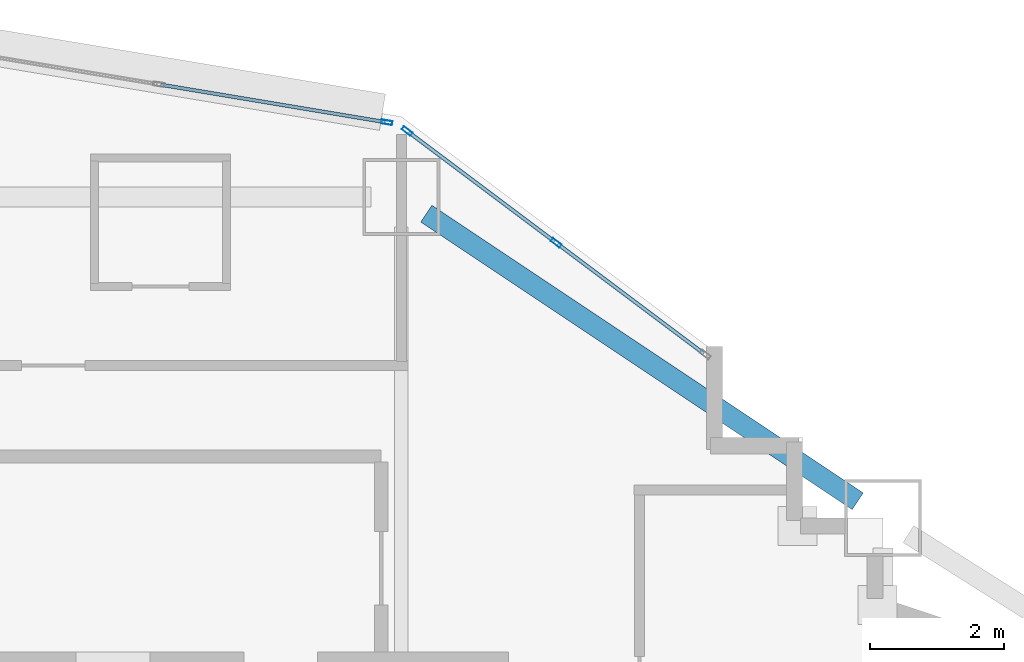
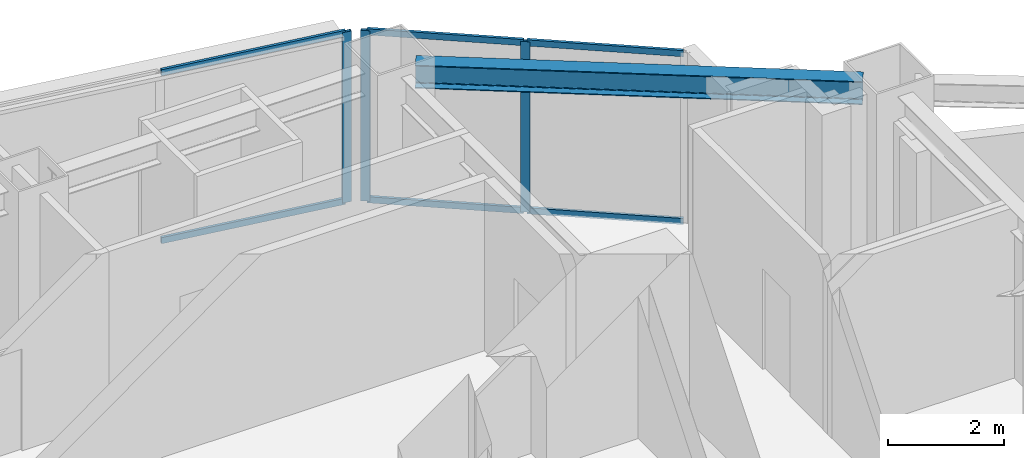
# One storey, part 3 of 18: 9 members, 1 beam, 2 elements without a shape of their own.
"""IFC4 building model written with IfcOpenShell, lengths in metres."""

from ifc_helpers import new_model, si_unit, direction, frame, origin, origin_2d, place, context, subcontext, project, spatial, hollow_rectangle, i_section, extrude, material, layer, layer_set, material_profile, profile_set, type_object, element, aggregate, save


model = new_model("IFC4")

# Units and contexts
model_context = context("Model", 3, precision=1e-05, world=origin(), true_north=direction((0.0, 1.0)))
body_context = subcontext(model_context, "Body", "Model", "MODEL_VIEW")
ifc_project = project(units=[si_unit("LENGTHUNIT", "METRE"), si_unit("AREAUNIT", "SQUARE_METRE"), si_unit("VOLUMEUNIT", "CUBIC_METRE"), si_unit("PLANEANGLEUNIT", "RADIAN"), si_unit("MASSUNIT", "GRAM", prefix="KILO")], contexts=[model_context])

# Site, building, storey
site_placement = place(None, origin())
site = spatial("IfcSite", under=ifc_project, at=site_placement, CompositionType="ELEMENT")
building_placement = place(site_placement, origin())
building = spatial("IfcBuilding", under=site, at=building_placement, Name="Haolan Belvedere Tower", CompositionType="ELEMENT")
storey_placement = place(building_placement, frame((0.0, 0.0, 51.39990234375)))
storey = spatial("IfcBuildingStorey", under=building, at=storey_placement, Name="L12", CompositionType="ELEMENT", Elevation=51.39990234375)

# Beam
ifc_material_1 = material(Name="Steel Q355B", Category="steel")
ifc_material_profile_1 = material_profile(ifc_material_1, i_section(OverallWidth=0.300048828125, OverallDepth=0.488037109375, WebThickness=0.010986328125, FlangeThickness=0.01806640625, FilletRadius=0.02587890625, at=origin_2d()), Name="Steel Q355B")
ifc_profile_set_1 = profile_set([ifc_material_profile_1], Name="Steel Q355B")
beam_type = type_object("IfcBeamType", Name="BM-HM488x300x11x18", PredefinedType="SPANDREL", material=ifc_profile_set_1)
beam_placement = place(storey_placement, frame((45.974365234375, 50.150390625, 3.356201171875), z_axis=(0.832050294338, -0.554700196225, 0.0), x_axis=(0.554700196225, 0.832050294338, 0.0)))
element("IfcBeam", 1, at=beam_placement, inside=storey, type_object=beam_type, Name="L12 spandrel girder MC-T3-N2-MC-T3-NE", PredefinedType="SPANDREL", context=body_context, shape_type="SweptSolid", body=[
    extrude(i_section(OverallWidth=0.300048828125, OverallDepth=0.488037109375, WebThickness=0.010986328125, FlangeThickness=0.01806640625, FilletRadius=0.02587890625, at=origin_2d()), origin(), (0.0, 0.0, 1.0), 7.75341796875),
])

# Curtain wall, members
ifc_material_2 = material(Name="Anodised champagne-silver aluminium 6063-T6 and Low-E glass", Category="aluminium")
ifc_layer = layer(ifc_material_2, 0.1650390625, Name="Anodised champagne-silver aluminium 6063-T6 and Low-E glass")
ifc_layer_set = layer_set([ifc_layer], Name="Anodised champagne-silver aluminium 6063-T6 and Low-E glass")
curtain_wall_type = type_object("IfcCurtainWallType", Name="CW-SYS-02", PredefinedType="NOTDEFINED", material=ifc_layer_set)
curtain_wall_1_placement = place(storey_placement, origin())
curtain_wall_1 = element("IfcCurtainWall", 2, at=curtain_wall_1_placement, inside=storey, type_object=curtain_wall_type, Name="L12 CW-SYS-02 ribbon curtain wall 41.1", PredefinedType="NOTDEFINED")
ifc_material_3 = material(Name="Anodised aluminium 6063-T6", Category="aluminium")
ifc_material_profile_2 = material_profile(ifc_material_3, hollow_rectangle(XDim=0.06005859375, YDim=0.1650390625, WallThickness=0.00390625, at=origin_2d()), Name="Anodised aluminium 6063-T6")
ifc_profile_set_2 = profile_set([ifc_material_profile_2], Name="Anodised aluminium 6063-T6")
member_type_1 = type_object("IfcMemberType", Name="CW-SYS-02-MUL", PredefinedType="MULLION", material=ifc_profile_set_2)
member_1_placement = place(storey_placement, frame((47.915771484375, 49.713134765625, 0.0), z_axis=(0.0, 0.0, 1.0), x_axis=(-0.599994316874, -0.800004262313, 0.0)))
member_1 = element("IfcMember", 3, at=member_1_placement, type_object=member_type_1, Name="CW-02 mullion 2", PredefinedType="MULLION", context=body_context, shape_type="SweptSolid", body=[
    extrude(hollow_rectangle(XDim=0.06005859375, YDim=0.1650390625, WallThickness=0.00390625, at=origin_2d()), origin(), (0.0, 0.0, 1.0), 3.60009765625),
])
member_2_placement = place(storey_placement, frame((45.6875, 51.384521484375, 0.0), z_axis=(0.0, 0.0, 1.0), x_axis=(-0.599994316874, -0.800004262313, 0.0)))
member_2 = element("IfcMember", 4, at=member_2_placement, type_object=member_type_1, Name="CW-02 mullion 3", PredefinedType="MULLION", context=body_context, shape_type="SweptSolid", body=[
    extrude(hollow_rectangle(XDim=0.06005859375, YDim=0.1650390625, WallThickness=0.00390625, at=origin_2d()), origin(), (0.0, 0.0, 1.0), 3.60009765625),
])

# Curtain wall, member
curtain_wall_2_placement = place(storey_placement, origin())
curtain_wall_2 = element("IfcCurtainWall", 5, at=curtain_wall_2_placement, inside=storey, type_object=curtain_wall_type, Name="L12 CW-SYS-02 ribbon curtain wall 42.1", PredefinedType="NOTDEFINED")
member_3_placement = place(storey_placement, frame((45.3837890625, 51.514404296875, 0.0), z_axis=(0.0, 0.0, 1.0), x_axis=(-0.16440364043, -0.9863931483, 0.0)))
member_3 = element("IfcMember", 6, at=member_3_placement, type_object=member_type_1, Name="CW-02 mullion 1", PredefinedType="MULLION", context=body_context, shape_type="SweptSolid", body=[
    extrude(hollow_rectangle(XDim=0.06005859375, YDim=0.1650390625, WallThickness=0.00390625, at=origin_2d()), origin(), (0.0, 0.0, 1.0), 3.60009765625),
])

# Member
ifc_material_profile_3 = material_profile(ifc_material_3, hollow_rectangle(XDim=0.054931640625, YDim=0.1298828125, WallThickness=0.00390625, at=origin_2d()), Name="Anodised aluminium 6063-T6")
ifc_profile_set_3 = profile_set([ifc_material_profile_3], Name="Anodised aluminium 6063-T6")
member_type_2 = type_object("IfcMemberType", Name="CW-SYS-02-TRN", PredefinedType="USERDEFINED", material=ifc_profile_set_3)
member_4_placement = place(storey_placement, frame((50.1201171875, 48.06005859375, 0.027587890625), z_axis=(-0.800010749092, 0.599985667609, 0.0), x_axis=(-0.599985667609, -0.800010749092, 0.0)))
member_4 = element("IfcMember", 7, at=member_4_placement, type_object=member_type_2, Name="CW-02 transom 1.1", ObjectType="TRANSOM", PredefinedType="USERDEFINED", context=body_context, shape_type="SweptSolid", body=[
    extrude(hollow_rectangle(XDim=0.054931640625, YDim=0.1298828125, WallThickness=0.00390625, at=origin_2d()), origin(), (0.0, 0.0, 1.0), 2.7255859375),
])

member_5_placement = place(storey_placement, frame((50.1201171875, 48.06005859375, 3.572509765625), z_axis=(-0.800010749092, 0.599985667609, 0.0), x_axis=(-0.599985667609, -0.800010749092, 0.0)))
member_5 = element("IfcMember", 8, at=member_5_placement, type_object=member_type_2, Name="CW-02 transom 1.2", ObjectType="TRANSOM", PredefinedType="USERDEFINED", context=body_context, shape_type="SweptSolid", body=[
    extrude(hollow_rectangle(XDim=0.054931640625, YDim=0.1298828125, WallThickness=0.00390625, at=origin_2d()), origin(), (0.0, 0.0, 1.0), 2.7255859375),
])

member_6_placement = place(storey_placement, frame((47.8916015625, 49.731201171875, 0.027587890625), z_axis=(-0.799978499504, 0.600028666258, 0.0), x_axis=(-0.600028666258, -0.799978499504, 0.0)))
member_6 = element("IfcMember", 9, at=member_6_placement, type_object=member_type_2, Name="CW-02 transom 2.1", ObjectType="TRANSOM", PredefinedType="USERDEFINED", context=body_context, shape_type="SweptSolid", body=[
    extrude(hollow_rectangle(XDim=0.054931640625, YDim=0.1298828125, WallThickness=0.00390625, at=origin_2d()), origin(), (0.0, 0.0, 1.0), 2.725341796875),
])

member_7_placement = place(storey_placement, frame((47.8916015625, 49.731201171875, 3.572509765625), z_axis=(-0.799978499504, 0.600028666258, 0.0), x_axis=(-0.600028666258, -0.799978499504, 0.0)))
member_7 = element("IfcMember", 10, at=member_7_placement, type_object=member_type_2, Name="CW-02 transom 2.2", ObjectType="TRANSOM", PredefinedType="USERDEFINED", context=body_context, shape_type="SweptSolid", body=[
    extrude(hollow_rectangle(XDim=0.054931640625, YDim=0.1298828125, WallThickness=0.00390625, at=origin_2d()), origin(), (0.0, 0.0, 1.0), 2.725341796875),
])

aggregate(curtain_wall_1, [member_1, member_2, member_4, member_5, member_6, member_7])

member_8_placement = place(storey_placement, frame((45.35400390625, 51.519287109375, 0.027587890625), z_axis=(-0.986393923832, 0.164398987305, 0.0), x_axis=(-0.164398987305, -0.986393923832, 0.0)))
member_8 = element("IfcMember", 11, at=member_8_placement, type_object=member_type_2, Name="CW-02 transom 1.1", ObjectType="TRANSOM", PredefinedType="USERDEFINED", context=body_context, shape_type="SweptSolid", body=[
    extrude(hollow_rectangle(XDim=0.054931640625, YDim=0.1298828125, WallThickness=0.00390625, at=origin_2d()), origin(), (0.0, 0.0, 1.0), 3.394775390625),
])

member_9_placement = place(storey_placement, frame((45.35400390625, 51.519287109375, 3.572509765625), z_axis=(-0.986393923832, 0.164398987305, 0.0), x_axis=(-0.164398987305, -0.986393923832, 0.0)))
member_9 = element("IfcMember", 12, at=member_9_placement, type_object=member_type_2, Name="CW-02 transom 1.2", ObjectType="TRANSOM", PredefinedType="USERDEFINED", context=body_context, shape_type="SweptSolid", body=[
    extrude(hollow_rectangle(XDim=0.054931640625, YDim=0.1298828125, WallThickness=0.00390625, at=origin_2d()), origin(), (0.0, 0.0, 1.0), 3.394775390625),
])

aggregate(curtain_wall_2, [member_3, member_8, member_9])

save(model, "model.ifc")
